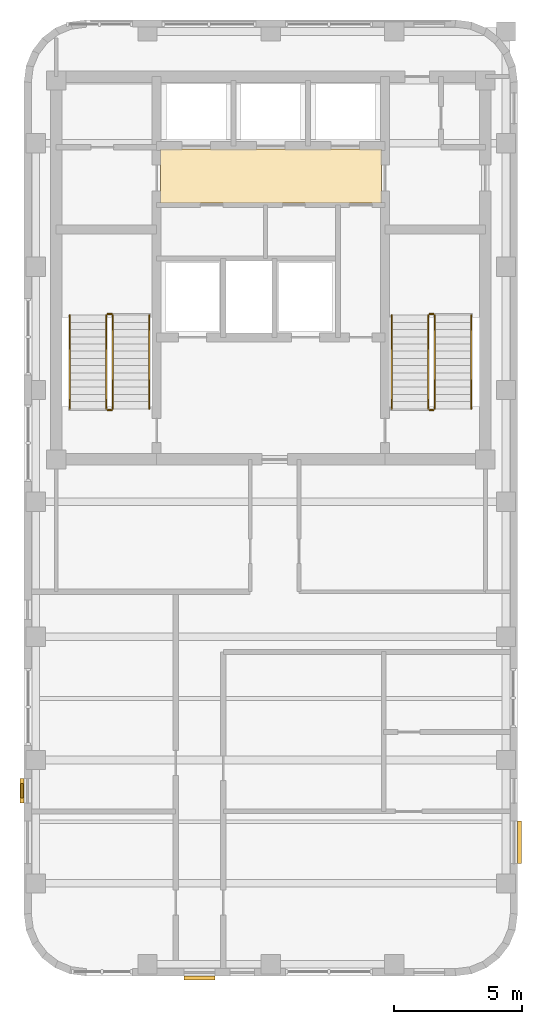
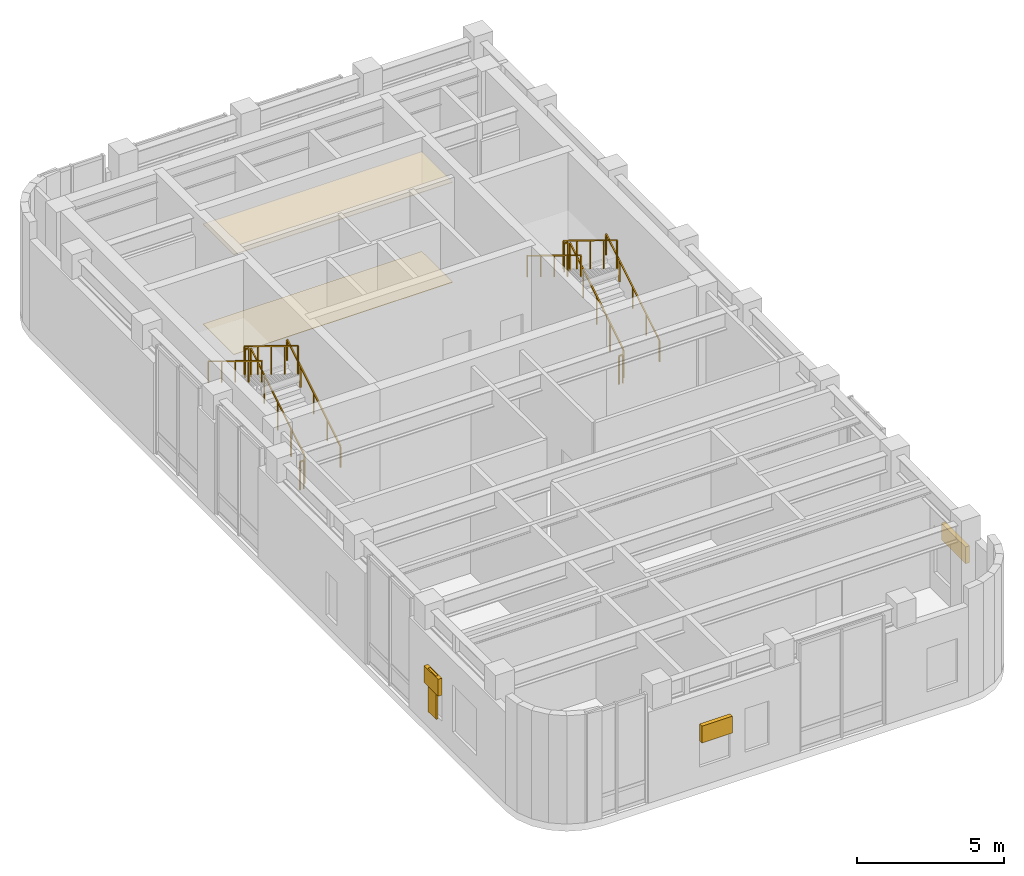
# One storey, part 7 of 8: 12 railings, 4 shading devices, 2 coverings.
"""IFC4 building model written with IfcOpenShell, lengths in metres."""

from ifc_helpers import new_model, si_unit, direction, frame, origin, origin_2d, place, context, subcontext, project, spatial, polyline, rectangle, outline, extrude, material, layer, layer_set, type_object, element, save


model = new_model("IFC4")

# Units and contexts
model_context = context("Model", 3, precision=1e-05, world=origin(), true_north=direction((0.0, 1.0)))
body_context = subcontext(model_context, "Body", "Model", "MODEL_VIEW")
ifc_project = project(units=[si_unit("LENGTHUNIT", "METRE"), si_unit("AREAUNIT", "SQUARE_METRE"), si_unit("VOLUMEUNIT", "CUBIC_METRE"), si_unit("PLANEANGLEUNIT", "RADIAN"), si_unit("MASSUNIT", "GRAM", prefix="KILO")], contexts=[model_context])

# Site, building, storey
site_placement = place(None, origin())
site = spatial("IfcSite", under=ifc_project, at=site_placement, CompositionType="ELEMENT")
building_placement = place(site_placement, origin())
building = spatial("IfcBuilding", under=site, at=building_placement, Name="Orvandelia Arch Residences", CompositionType="ELEMENT")
storey_placement = place(building_placement, frame((0.0, 0.0, 291.39990234375)))
storey = spatial("IfcBuildingStorey", under=building, at=storey_placement, Name="L75", CompositionType="ELEMENT", Elevation=291.39990234375)

# Coverings
ifc_material_1 = material(Name="Perforated Acoustic Mineral-Fibre Ceiling")
ifc_layer_1 = layer(ifc_material_1, 0.02490234375, Name="Perforated Acoustic Mineral-Fibre Ceiling")
ifc_layer_set_1 = layer_set([ifc_layer_1], Name="Perforated Acoustic Mineral-Fibre Ceiling")
covering_type_1 = type_object("IfcCoveringType", Name="COV-CEIL-ACOUSTIC", PredefinedType="CEILING", material=ifc_layer_set_1)
covering_1_placement = place(storey_placement, frame((0.0, 0.0, 4.150146484375)))
element("IfcCovering", 1, at=covering_1_placement, inside=storey, type_object=covering_type_1, Name="Lift Hall Suspended Acoustic Ceiling L75", PredefinedType="CEILING", context=body_context, shape_type="SweptSolid", body=[
    extrude(outline(polyline([(10.10009765625, 40.8798828125), (18.699951171875, 40.8798828125), (18.699951171875, 42.97998046875), (10.10009765625, 42.97998046875), (10.10009765625, 40.8798828125)])), origin(), (0.0, 0.0, 1.0), 0.02490234375),
])
ifc_material_2 = material(Name="Engineered Oak Flooring")
ifc_layer_2 = layer(ifc_material_2, 0.02001953125, Name="Engineered Oak Flooring")
ifc_layer_set_2 = layer_set([ifc_layer_2], Name="Engineered Oak Flooring")
covering_type_2 = type_object("IfcCoveringType", Name="COV-FLOOR-TIMBER", PredefinedType="FLOORING", material=ifc_layer_set_2)
covering_2_placement = place(storey_placement, origin())
element("IfcCovering", 2, at=covering_2_placement, inside=storey, type_object=covering_type_2, Name="Lift Hall Finish Flooring L75", PredefinedType="FLOORING", context=body_context, shape_type="SweptSolid", body=[
    extrude(outline(polyline([(10.10009765625, 40.8798828125), (18.699951171875, 40.8798828125), (18.699951171875, 42.97998046875), (10.10009765625, 42.97998046875), (10.10009765625, 40.8798828125)])), origin(), (0.0, 0.0, 1.0), 0.02001953125),
])

# Railings
ifc_material_3 = material(Name="Brushed Stainless Steel 304", Category="steel")
railing_type_1 = type_object("IfcRailingType", Name="RL-STAIR-GD1120", PredefinedType="GUARDRAIL", material=ifc_material_3)
railing_1_placement = place(storey_placement, frame((8.25, 32.8701171875, 0.171630859375)))
element("IfcRailing", 3, at=railing_1_placement, inside=storey, type_object=railing_type_1, Name="L75 ST-1 stair guard 1", PredefinedType="GUARDRAIL", context=body_context, shape_type="SweptSolid", body=[
    extrude(rectangle(XDim=0.048095703125, YDim=0.048095703125, at=origin_2d()), frame((0.0, 0.0, 1.17578125), z_axis=(0.0, 0.852850264322, 0.5221555579), x_axis=(-1.0, 0.0, 0.0)), (0.0, 0.0, 1.0), 4.267822265625),
    extrude(rectangle(XDim=0.0419921875, YDim=0.0419921875, at=origin_2d()), origin(), (0.0, 0.0, 1.0), 1.15185546875),
    extrude(rectangle(XDim=0.0419921875, YDim=0.0419921875, at=origin_2d()), frame((0.0, 0.909912109375, 0.55712890625)), (0.0, 0.0, 1.0), 1.15185546875),
    extrude(rectangle(XDim=0.0419921875, YDim=0.0419921875, at=origin_2d()), frame((0.0, 1.81982421875, 1.1142578125)), (0.0, 0.0, 1.0), 1.15185546875),
    extrude(rectangle(XDim=0.0419921875, YDim=0.0419921875, at=origin_2d()), frame((0.0, 2.72998046875, 1.67138671875)), (0.0, 0.0, 1.0), 1.15185546875),
    extrude(rectangle(XDim=0.0419921875, YDim=0.0419921875, at=origin_2d()), frame((0.0, 3.639892578125, 2.228515625)), (0.0, 0.0, 1.0), 1.15185546875),
])
railing_2_placement = place(storey_placement, frame((8.199951171875, 36.56005859375, 2.400146484375)))
element("IfcRailing", 4, at=railing_2_placement, inside=storey, type_object=railing_type_1, Name="L75 ST-1 stair guard 2", PredefinedType="GUARDRAIL", context=body_context, shape_type="SweptSolid", body=[
    extrude(rectangle(XDim=0.048095703125, YDim=0.048095703125, at=origin_2d()), frame((0.0, 0.0, 1.17578125), z_axis=(-1.0, 0.0, 0.0), x_axis=(0.0, -1.0, 0.0)), (0.0, 0.0, 1.0), 0.14990234375),
    extrude(rectangle(XDim=0.0419921875, YDim=0.0419921875, at=origin_2d()), origin(), (0.0, 0.0, 1.0), 1.15185546875),
    extrude(rectangle(XDim=0.0419921875, YDim=0.0419921875, at=origin_2d()), frame((-0.14990234375, 0.0, 0.0)), (0.0, 0.0, 1.0), 1.15185546875),
])
railing_3_placement = place(storey_placement, frame((8.0, 36.510009765625, 2.571533203125)))
element("IfcRailing", 5, at=railing_3_placement, inside=storey, type_object=railing_type_1, Name="L75 ST-1 stair guard 3", PredefinedType="GUARDRAIL", context=body_context, shape_type="SweptSolid", body=[
    extrude(rectangle(XDim=0.048095703125, YDim=0.048095703125, at=origin_2d()), frame((0.0, 0.0, 1.17578125), z_axis=(0.0, -0.852850264322, 0.5221555579), x_axis=(1.0, 0.0, 0.0)), (0.0, 0.0, 1.0), 4.267822265625),
    extrude(rectangle(XDim=0.0419921875, YDim=0.0419921875, at=origin_2d()), origin(), (0.0, 0.0, 1.0), 1.15185546875),
    extrude(rectangle(XDim=0.0419921875, YDim=0.0419921875, at=origin_2d()), frame((0.0, -0.909912109375, 0.55712890625)), (0.0, 0.0, 1.0), 1.15185546875),
    extrude(rectangle(XDim=0.0419921875, YDim=0.0419921875, at=origin_2d()), frame((0.0, -1.81982421875, 1.1142578125)), (0.0, 0.0, 1.0), 1.15185546875),
    extrude(rectangle(XDim=0.0419921875, YDim=0.0419921875, at=origin_2d()), frame((0.0, -2.72998046875, 1.67138671875)), (0.0, 0.0, 1.0), 1.15185546875),
    extrude(rectangle(XDim=0.0419921875, YDim=0.0419921875, at=origin_2d()), frame((0.0, -3.639892578125, 2.228515625)), (0.0, 0.0, 1.0), 1.15185546875),
])
railing_4_placement = place(storey_placement, frame((8.199951171875, 32.820068359375, 0.0)))
element("IfcRailing", 6, at=railing_4_placement, inside=storey, type_object=railing_type_1, Name="L75 ST-1 stair guard 4", PredefinedType="GUARDRAIL", context=body_context, shape_type="SweptSolid", body=[
    extrude(rectangle(XDim=0.048095703125, YDim=0.048095703125, at=origin_2d()), frame((0.0, 0.0, 1.17578125), z_axis=(-1.0, 0.0, 0.0), x_axis=(0.0, -1.0, 0.0)), (0.0, 0.0, 1.0), 0.14990234375),
    extrude(rectangle(XDim=0.0419921875, YDim=0.0419921875, at=origin_2d()), origin(), (0.0, 0.0, 1.0), 1.15185546875),
    extrude(rectangle(XDim=0.0419921875, YDim=0.0419921875, at=origin_2d()), frame((-0.14990234375, 0.0, 0.0)), (0.0, 0.0, 1.0), 1.15185546875),
])
railing_5_placement = place(storey_placement, frame((20.780029296875, 32.8701171875, 0.171630859375)))
element("IfcRailing", 7, at=railing_5_placement, inside=storey, type_object=railing_type_1, Name="L75 ST-2 stair guard 1", PredefinedType="GUARDRAIL", context=body_context, shape_type="SweptSolid", body=[
    extrude(rectangle(XDim=0.048095703125, YDim=0.048095703125, at=origin_2d()), frame((0.0, 0.0, 1.17578125), z_axis=(0.0, 0.852850264322, 0.5221555579), x_axis=(-1.0, 0.0, 0.0)), (0.0, 0.0, 1.0), 4.267822265625),
    extrude(rectangle(XDim=0.0419921875, YDim=0.0419921875, at=origin_2d()), origin(), (0.0, 0.0, 1.0), 1.15185546875),
    extrude(rectangle(XDim=0.0419921875, YDim=0.0419921875, at=origin_2d()), frame((0.0, 0.909912109375, 0.55712890625)), (0.0, 0.0, 1.0), 1.15185546875),
    extrude(rectangle(XDim=0.0419921875, YDim=0.0419921875, at=origin_2d()), frame((0.0, 1.81982421875, 1.1142578125)), (0.0, 0.0, 1.0), 1.15185546875),
    extrude(rectangle(XDim=0.0419921875, YDim=0.0419921875, at=origin_2d()), frame((0.0, 2.72998046875, 1.67138671875)), (0.0, 0.0, 1.0), 1.15185546875),
    extrude(rectangle(XDim=0.0419921875, YDim=0.0419921875, at=origin_2d()), frame((0.0, 3.639892578125, 2.228515625)), (0.0, 0.0, 1.0), 1.15185546875),
])
railing_6_placement = place(storey_placement, frame((20.72998046875, 36.56005859375, 2.400146484375)))
element("IfcRailing", 8, at=railing_6_placement, inside=storey, type_object=railing_type_1, Name="L75 ST-2 stair guard 2", PredefinedType="GUARDRAIL", context=body_context, shape_type="SweptSolid", body=[
    extrude(rectangle(XDim=0.048095703125, YDim=0.048095703125, at=origin_2d()), frame((0.0, 0.0, 1.17578125), z_axis=(-1.0, 0.0, 0.0), x_axis=(0.0, -1.0, 0.0)), (0.0, 0.0, 1.0), 0.14990234375),
    extrude(rectangle(XDim=0.0419921875, YDim=0.0419921875, at=origin_2d()), origin(), (0.0, 0.0, 1.0), 1.15185546875),
    extrude(rectangle(XDim=0.0419921875, YDim=0.0419921875, at=origin_2d()), frame((-0.14990234375, 0.0, 0.0)), (0.0, 0.0, 1.0), 1.15185546875),
])
railing_7_placement = place(storey_placement, frame((20.530029296875, 36.510009765625, 2.571533203125)))
element("IfcRailing", 9, at=railing_7_placement, inside=storey, type_object=railing_type_1, Name="L75 ST-2 stair guard 3", PredefinedType="GUARDRAIL", context=body_context, shape_type="SweptSolid", body=[
    extrude(rectangle(XDim=0.048095703125, YDim=0.048095703125, at=origin_2d()), frame((0.0, 0.0, 1.17578125), z_axis=(0.0, -0.852850264322, 0.5221555579), x_axis=(1.0, 0.0, 0.0)), (0.0, 0.0, 1.0), 4.267822265625),
    extrude(rectangle(XDim=0.0419921875, YDim=0.0419921875, at=origin_2d()), origin(), (0.0, 0.0, 1.0), 1.15185546875),
    extrude(rectangle(XDim=0.0419921875, YDim=0.0419921875, at=origin_2d()), frame((0.0, -0.909912109375, 0.55712890625)), (0.0, 0.0, 1.0), 1.15185546875),
    extrude(rectangle(XDim=0.0419921875, YDim=0.0419921875, at=origin_2d()), frame((0.0, -1.81982421875, 1.1142578125)), (0.0, 0.0, 1.0), 1.15185546875),
    extrude(rectangle(XDim=0.0419921875, YDim=0.0419921875, at=origin_2d()), frame((0.0, -2.72998046875, 1.67138671875)), (0.0, 0.0, 1.0), 1.15185546875),
    extrude(rectangle(XDim=0.0419921875, YDim=0.0419921875, at=origin_2d()), frame((0.0, -3.639892578125, 2.228515625)), (0.0, 0.0, 1.0), 1.15185546875),
])
railing_8_placement = place(storey_placement, frame((20.72998046875, 32.820068359375, 0.0)))
element("IfcRailing", 10, at=railing_8_placement, inside=storey, type_object=railing_type_1, Name="L75 ST-2 stair guard 4", PredefinedType="GUARDRAIL", context=body_context, shape_type="SweptSolid", body=[
    extrude(rectangle(XDim=0.048095703125, YDim=0.048095703125, at=origin_2d()), frame((0.0, 0.0, 1.17578125), z_axis=(-1.0, 0.0, 0.0), x_axis=(0.0, -1.0, 0.0)), (0.0, 0.0, 1.0), 0.14990234375),
    extrude(rectangle(XDim=0.0419921875, YDim=0.0419921875, at=origin_2d()), origin(), (0.0, 0.0, 1.0), 1.15185546875),
    extrude(rectangle(XDim=0.0419921875, YDim=0.0419921875, at=origin_2d()), frame((-0.14990234375, 0.0, 0.0)), (0.0, 0.0, 1.0), 1.15185546875),
])
railing_type_2 = type_object("IfcRailingType", Name="RL-STAIR-HR920", PredefinedType="HANDRAIL", material=ifc_material_3)
railing_9_placement = place(storey_placement, frame((9.669921875, 32.8701171875, 0.343017578125)))
element("IfcRailing", 11, at=railing_9_placement, inside=storey, type_object=railing_type_2, Name="L75 ST-1 stair handrail 1", PredefinedType="HANDRAIL", context=body_context, shape_type="SweptSolid", body=[
    extrude(rectangle(XDim=0.048095703125, YDim=0.048095703125, at=origin_2d()), frame((0.0, 0.0, 0.8759765625), z_axis=(0.0, 0.852850264322, 0.5221555579), x_axis=(-1.0, 0.0, 0.0)), (0.0, 0.0, 1.0), 4.267822265625),
    extrude(rectangle(XDim=0.0419921875, YDim=0.0419921875, at=origin_2d()), origin(), (0.0, 0.0, 1.0), 0.851806640625),
    extrude(rectangle(XDim=0.0419921875, YDim=0.0419921875, at=origin_2d()), frame((0.0, 0.909912109375, 0.55712890625)), (0.0, 0.0, 1.0), 0.851806640625),
    extrude(rectangle(XDim=0.0419921875, YDim=0.0419921875, at=origin_2d()), frame((0.0, 1.81982421875, 1.1142578125)), (0.0, 0.0, 1.0), 0.851806640625),
    extrude(rectangle(XDim=0.0419921875, YDim=0.0419921875, at=origin_2d()), frame((0.0, 2.72998046875, 1.67138671875)), (0.0, 0.0, 1.0), 0.851806640625),
    extrude(rectangle(XDim=0.0419921875, YDim=0.0419921875, at=origin_2d()), frame((0.0, 3.639892578125, 2.228515625)), (0.0, 0.0, 1.0), 0.851806640625),
])
railing_10_placement = place(storey_placement, frame((6.580078125, 36.510009765625, 2.742919921875)))
element("IfcRailing", 12, at=railing_10_placement, inside=storey, type_object=railing_type_2, Name="L75 ST-1 stair handrail 2", PredefinedType="HANDRAIL", context=body_context, shape_type="SweptSolid", body=[
    extrude(rectangle(XDim=0.048095703125, YDim=0.048095703125, at=origin_2d()), frame((0.0, 0.0, 0.8759765625), z_axis=(0.0, -0.852850264322, 0.5221555579), x_axis=(1.0, 0.0, 0.0)), (0.0, 0.0, 1.0), 4.267822265625),
    extrude(rectangle(XDim=0.0419921875, YDim=0.0419921875, at=origin_2d()), origin(), (0.0, 0.0, 1.0), 0.851806640625),
    extrude(rectangle(XDim=0.0419921875, YDim=0.0419921875, at=origin_2d()), frame((0.0, -0.909912109375, 0.55712890625)), (0.0, 0.0, 1.0), 0.851806640625),
    extrude(rectangle(XDim=0.0419921875, YDim=0.0419921875, at=origin_2d()), frame((0.0, -1.81982421875, 1.1142578125)), (0.0, 0.0, 1.0), 0.851806640625),
    extrude(rectangle(XDim=0.0419921875, YDim=0.0419921875, at=origin_2d()), frame((0.0, -2.72998046875, 1.67138671875)), (0.0, 0.0, 1.0), 0.851806640625),
    extrude(rectangle(XDim=0.0419921875, YDim=0.0419921875, at=origin_2d()), frame((0.0, -3.639892578125, 2.228515625)), (0.0, 0.0, 1.0), 0.851806640625),
])
railing_11_placement = place(storey_placement, frame((22.199951171875, 32.8701171875, 0.343017578125)))
element("IfcRailing", 13, at=railing_11_placement, inside=storey, type_object=railing_type_2, Name="L75 ST-2 stair handrail 1", PredefinedType="HANDRAIL", context=body_context, shape_type="SweptSolid", body=[
    extrude(rectangle(XDim=0.048095703125, YDim=0.048095703125, at=origin_2d()), frame((0.0, 0.0, 0.8759765625), z_axis=(0.0, 0.852850264322, 0.5221555579), x_axis=(-1.0, 0.0, 0.0)), (0.0, 0.0, 1.0), 4.267822265625),
    extrude(rectangle(XDim=0.0419921875, YDim=0.0419921875, at=origin_2d()), origin(), (0.0, 0.0, 1.0), 0.851806640625),
    extrude(rectangle(XDim=0.0419921875, YDim=0.0419921875, at=origin_2d()), frame((0.0, 0.909912109375, 0.55712890625)), (0.0, 0.0, 1.0), 0.851806640625),
    extrude(rectangle(XDim=0.0419921875, YDim=0.0419921875, at=origin_2d()), frame((0.0, 1.81982421875, 1.1142578125)), (0.0, 0.0, 1.0), 0.851806640625),
    extrude(rectangle(XDim=0.0419921875, YDim=0.0419921875, at=origin_2d()), frame((0.0, 2.72998046875, 1.67138671875)), (0.0, 0.0, 1.0), 0.851806640625),
    extrude(rectangle(XDim=0.0419921875, YDim=0.0419921875, at=origin_2d()), frame((0.0, 3.639892578125, 2.228515625)), (0.0, 0.0, 1.0), 0.851806640625),
])
railing_12_placement = place(storey_placement, frame((19.110107421875, 36.510009765625, 2.742919921875)))
element("IfcRailing", 14, at=railing_12_placement, inside=storey, type_object=railing_type_2, Name="L75 ST-2 stair handrail 2", PredefinedType="HANDRAIL", context=body_context, shape_type="SweptSolid", body=[
    extrude(rectangle(XDim=0.048095703125, YDim=0.048095703125, at=origin_2d()), frame((0.0, 0.0, 0.8759765625), z_axis=(0.0, -0.852850264322, 0.5221555579), x_axis=(1.0, 0.0, 0.0)), (0.0, 0.0, 1.0), 4.267822265625),
    extrude(rectangle(XDim=0.0419921875, YDim=0.0419921875, at=origin_2d()), origin(), (0.0, 0.0, 1.0), 0.851806640625),
    extrude(rectangle(XDim=0.0419921875, YDim=0.0419921875, at=origin_2d()), frame((0.0, -0.909912109375, 0.55712890625)), (0.0, 0.0, 1.0), 0.851806640625),
    extrude(rectangle(XDim=0.0419921875, YDim=0.0419921875, at=origin_2d()), frame((0.0, -1.81982421875, 1.1142578125)), (0.0, 0.0, 1.0), 0.851806640625),
    extrude(rectangle(XDim=0.0419921875, YDim=0.0419921875, at=origin_2d()), frame((0.0, -2.72998046875, 1.67138671875)), (0.0, 0.0, 1.0), 0.851806640625),
    extrude(rectangle(XDim=0.0419921875, YDim=0.0419921875, at=origin_2d()), frame((0.0, -3.639892578125, 2.228515625)), (0.0, 0.0, 1.0), 0.851806640625),
])

# Shading devices
ifc_material_4 = material(Name="Anodised Champagne-Bronze Extruded Aluminium", Category="aluminium")
shading_device_type_1 = type_object("IfcShadingDeviceType", Name="SHD-JALOUSIE-SCREEN", PredefinedType="JALOUSIE", material=ifc_material_4)
shading_device_1_placement = place(storey_placement, frame((24.080078125, 15.99755859375, 2.05029296875), z_axis=(0.0, 0.0, 1.0), x_axis=(0.0, -1.0, 0.0)))
element("IfcShadingDevice", 15, at=shading_device_1_placement, inside=storey, type_object=shading_device_type_1, Name="Bronze Jalousie Sun-Shade L75-001", PredefinedType="JALOUSIE", context=body_context, shape_type="SweptSolid", body=[
    extrude(rectangle(XDim=1.64990234375, YDim=0.159912109375, at=origin_2d()), origin(), (0.0, 0.0, 1.0), 0.699951171875),
])
shading_device_2_placement = place(storey_placement, frame((11.625, 10.719970703125, 1.89990234375), z_axis=(0.0, 0.0, 1.0), x_axis=(-1.0, 0.0, 0.0)))
element("IfcShadingDevice", 16, at=shading_device_2_placement, inside=storey, type_object=shading_device_type_1, Name="Bronze Jalousie Sun-Shade L75-002", PredefinedType="JALOUSIE", context=body_context, shape_type="SweptSolid", body=[
    extrude(rectangle(XDim=1.199951171875, YDim=0.159912109375, at=origin_2d()), origin(), (0.0, 0.0, 1.0), 0.699951171875),
])
shading_device_3_placement = place(storey_placement, frame((4.719970703125, 18.00244140625, 1.89990234375), z_axis=(0.0, 0.0, 1.0), x_axis=(0.0, 1.0, 0.0)))
element("IfcShadingDevice", 17, at=shading_device_3_placement, inside=storey, type_object=shading_device_type_1, Name="Bronze Jalousie Sun-Shade L75-003", PredefinedType="JALOUSIE", context=body_context, shape_type="SweptSolid", body=[
    extrude(rectangle(XDim=0.949951171875, YDim=0.159912109375, at=origin_2d()), origin(), (0.0, 0.0, 1.0), 0.699951171875),
])
ifc_material_5 = material(Name="Marine-Grade Perforated Aluminium Storm Shutter", Category="aluminium")
shading_device_type_2 = type_object("IfcShadingDeviceType", Name="SHD-STORM-SHUTTER", PredefinedType="SHUTTER", material=ifc_material_5)
shading_device_4_placement = place(storey_placement, frame((4.719970703125, 18.00244140625, 0.80029296875), z_axis=(0.0, 0.0, 1.0), x_axis=(0.0, 1.0, 0.0)))
element("IfcShadingDevice", 18, at=shading_device_4_placement, inside=storey, type_object=shading_device_type_2, Name="Operable Typhoon Storm Shutter L75-003", PredefinedType="SHUTTER", context=body_context, shape_type="SweptSolid", body=[
    extrude(rectangle(XDim=0.550048828125, YDim=0.080078125, at=origin_2d()), origin(), (0.0, 0.0, 1.0), 1.800048828125),
])

save(model, "model.ifc")
